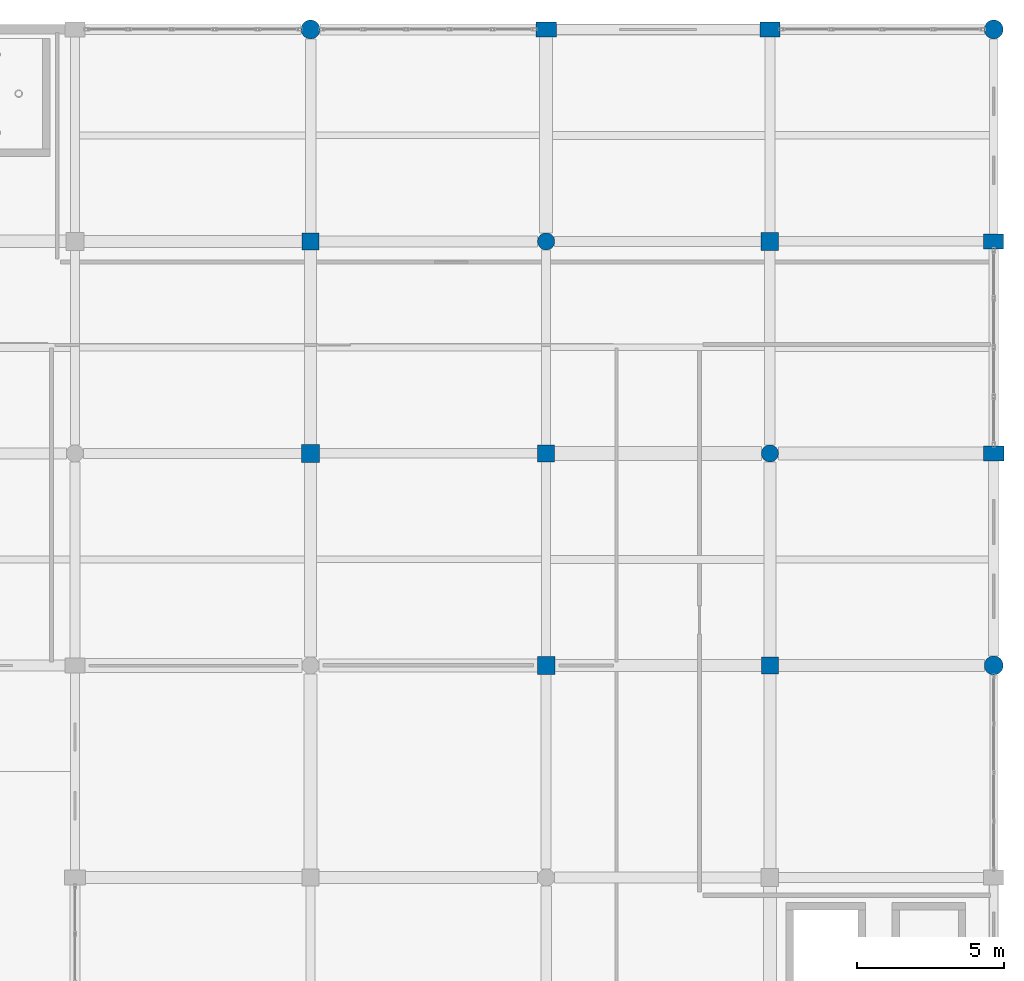
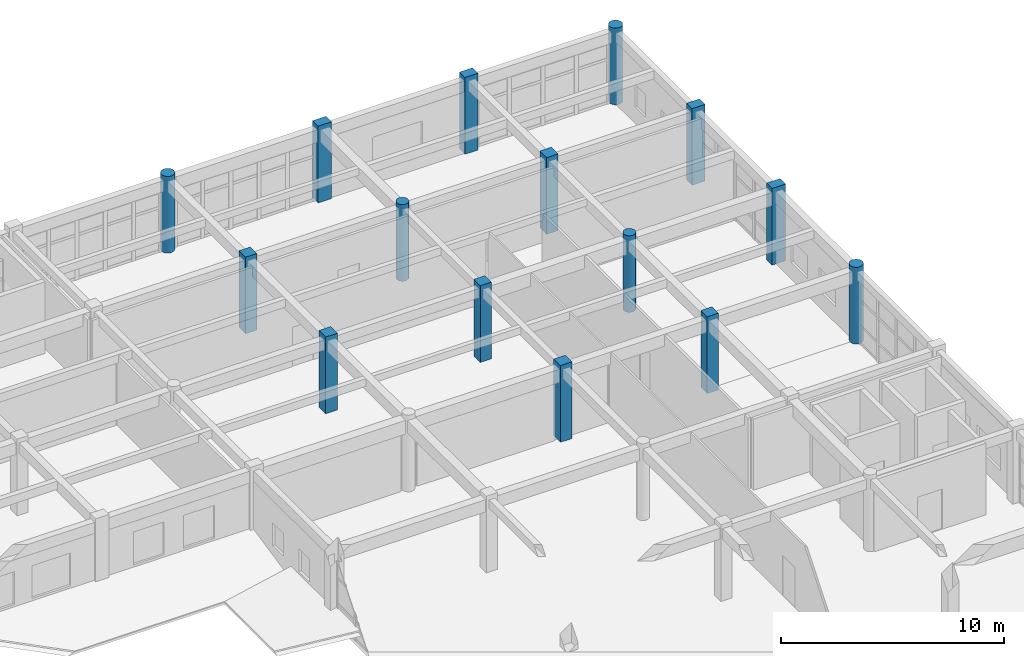
# One storey, part 9 of 121: 15 columns.
"""IFC4 building model written with IfcOpenShell, lengths in metres."""

from ifc_helpers import new_model, si_unit, direction, frame, origin, origin_2d, place, context, subcontext, project, spatial, rectangle, circle, extrude, material, material_profile, profile_set, type_object, element, save


model = new_model("IFC4")

# Units and contexts
model_context = context("Model", 3, precision=1e-05, world=origin(), true_north=direction((0.0, 1.0)))
body_context = subcontext(model_context, "Body", "Model", "MODEL_VIEW")
ifc_project = project(units=[si_unit("LENGTHUNIT", "METRE"), si_unit("AREAUNIT", "SQUARE_METRE"), si_unit("VOLUMEUNIT", "CUBIC_METRE"), si_unit("PLANEANGLEUNIT", "RADIAN"), si_unit("MASSUNIT", "GRAM", prefix="KILO")], contexts=[model_context])

# Site, building, storey
site_placement = place(None, origin())
site = spatial("IfcSite", under=ifc_project, at=site_placement, CompositionType="ELEMENT")
building_placement = place(site_placement, origin())
building = spatial("IfcBuilding", under=site, at=building_placement, Name="Kharva Crest Polytechnic", CompositionType="ELEMENT")
storey_placement = place(building_placement, frame((0.0, 0.0, 13.199951171875)))
storey = spatial("IfcBuildingStorey", under=building, at=storey_placement, Name="L03", CompositionType="ELEMENT", Elevation=13.199951171875)

# Columns
ifc_material = material(Name="Concrete C40/50", Category="concrete")
ifc_material_profile_1 = material_profile(ifc_material, rectangle(XDim=0.679931640625, YDim=0.5, at=origin_2d()), Name="RECT 680 X 500")
ifc_profile_set_1 = profile_set([ifc_material_profile_1], Name="Concrete C40/50")
column_type_1 = type_object("IfcColumnType", Name="COL-EXT-680X500", PredefinedType="COLUMN", material=ifc_profile_set_1)
for number, where, z_axis, x_axis, name in (
    (1, (176.39990234375, 122.0, 0.0), (0.0, 0.0, 1.0), (1.0, 0.0, 0.0), "L03 Column 23/S"),
    (2, (184.0, 114.800048828125, 0.0), (0.0, 0.0, 1.0), (1.0, 0.0, 0.0), "L03 Column 24/R"),
):
    element("IfcColumn", number, at=place(storey_placement, frame(where, z_axis=z_axis, x_axis=x_axis)), inside=storey, type_object=column_type_1, Name=name, PredefinedType="COLUMN", context=body_context, shape_type="SweptSolid", body=[
        extrude(rectangle(XDim=0.679931640625, YDim=0.5, at=origin_2d()), origin(), (0.0, 0.0, 1.0), 4.199951171875),
    ])
ifc_material_profile_2 = material_profile(ifc_material, rectangle(XDim=0.699951171875, YDim=0.5, at=origin_2d()), Name="RECT 700 X 500")
ifc_profile_set_2 = profile_set([ifc_material_profile_2], Name="Concrete C40/50")
column_type_2 = type_object("IfcColumnType", Name="COL-EXT-700X500", PredefinedType="COLUMN", material=ifc_profile_set_2)
for number, where, z_axis, x_axis, name in (
    (3, (168.800048828125, 122.0, 0.0), (0.0, 0.0, 1.0), (1.0, 0.0, 0.0), "L03 Column 22/S"),
    (4, (184.0, 107.60009765625, 0.0), (0.0, 0.0, 1.0), (1.0, 0.0, 0.0), "L03 Column 24/Q"),
):
    element("IfcColumn", number, at=place(storey_placement, frame(where, z_axis=z_axis, x_axis=x_axis)), inside=storey, type_object=column_type_2, Name=name, PredefinedType="COLUMN", context=body_context, shape_type="SweptSolid", body=[
        extrude(rectangle(XDim=0.699951171875, YDim=0.5, at=origin_2d()), origin(), (0.0, 0.0, 1.0), 4.199951171875),
    ])
ifc_material_profile_3 = material_profile(ifc_material, circle(Radius=0.320068359375, at=origin_2d()), Name="DIA 640")
ifc_profile_set_3 = profile_set([ifc_material_profile_3], Name="Concrete C40/50")
column_type_3 = type_object("IfcColumnType", Name="COL-EXT-DIA640", PredefinedType="COLUMN", material=ifc_profile_set_3)
for number, where, z_axis, x_axis, name in (
    (5, (160.800048828125, 122.0, 0.0), (0.0, 0.0, 1.0), (1.0, 0.0, 0.0), "L03 Column 21/S"),
    (6, (184.0, 100.39990234375, 0.0), (0.0, 0.0, 1.0), (1.0, 0.0, 0.0), "L03 Column 24/P"),
    (7, (184.0, 122.0, 0.0), (0.0, 0.0, 1.0), (1.0, 0.0, 0.0), "L03 Column 24/S"),
):
    element("IfcColumn", number, at=place(storey_placement, frame(where, z_axis=z_axis, x_axis=x_axis)), inside=storey, type_object=column_type_3, Name=name, PredefinedType="COLUMN", context=body_context, shape_type="SweptSolid", body=[
        extrude(circle(Radius=0.320068359375, at=origin_2d()), origin(), (0.0, 0.0, 1.0), 4.199951171875),
    ])
ifc_material_profile_4 = material_profile(ifc_material, rectangle(XDim=0.580078125, YDim=0.580078125, at=origin_2d()), Name="RECT 580 X 580")
ifc_profile_set_4 = profile_set([ifc_material_profile_4], Name="Concrete C40/50")
column_type_4 = type_object("IfcColumnType", Name="COL-INT-580X580", PredefinedType="COLUMN", material=ifc_profile_set_4)
for number, where, z_axis, x_axis, name in (
    (8, (160.800048828125, 114.800048828125, 0.0), (0.0, 0.0, 1.0), (1.0, 0.0, 0.0), "L03 Column 21/R"),
    (9, (168.800048828125, 107.60009765625, 0.0), (0.0, 0.0, 1.0), (1.0, 0.0, 0.0), "L03 Column 22/Q"),
    (10, (176.39990234375, 100.39990234375, 0.0), (0.0, 0.0, 1.0), (1.0, 0.0, 0.0), "L03 Column 23/P"),
):
    element("IfcColumn", number, at=place(storey_placement, frame(where, z_axis=z_axis, x_axis=x_axis)), inside=storey, type_object=column_type_4, Name=name, PredefinedType="COLUMN", context=body_context, shape_type="SweptSolid", body=[
        extrude(rectangle(XDim=0.580078125, YDim=0.580078125, at=origin_2d()), origin(), (0.0, 0.0, 1.0), 4.199951171875),
    ])
ifc_material_profile_5 = material_profile(ifc_material, rectangle(XDim=0.60009765625, YDim=0.60009765625, at=origin_2d()), Name="RECT 600 X 600")
ifc_profile_set_5 = profile_set([ifc_material_profile_5], Name="Concrete C40/50")
column_type_5 = type_object("IfcColumnType", Name="COL-INT-600X600", PredefinedType="COLUMN", material=ifc_profile_set_5)
for number, where, z_axis, x_axis, name in (
    (11, (160.800048828125, 107.60009765625, 0.0), (0.0, 0.0, 1.0), (1.0, 0.0, 0.0), "L03 Column 21/Q"),
    (12, (168.800048828125, 100.39990234375, 0.0), (0.0, 0.0, 1.0), (1.0, 0.0, 0.0), "L03 Column 22/P"),
    (13, (176.39990234375, 114.800048828125, 0.0), (0.0, 0.0, 1.0), (1.0, 0.0, 0.0), "L03 Column 23/R"),
):
    element("IfcColumn", number, at=place(storey_placement, frame(where, z_axis=z_axis, x_axis=x_axis)), inside=storey, type_object=column_type_5, Name=name, PredefinedType="COLUMN", context=body_context, shape_type="SweptSolid", body=[
        extrude(rectangle(XDim=0.60009765625, YDim=0.60009765625, at=origin_2d()), origin(), (0.0, 0.0, 1.0), 4.199951171875),
    ])
ifc_material_profile_6 = material_profile(ifc_material, circle(Radius=0.2900390625, at=origin_2d()), Name="DIA 580")
ifc_profile_set_6 = profile_set([ifc_material_profile_6], Name="Concrete C40/50")
column_type_6 = type_object("IfcColumnType", Name="COL-INT-DIA580", PredefinedType="COLUMN", material=ifc_profile_set_6)
for number, where, z_axis, x_axis, name in (
    (14, (168.800048828125, 114.800048828125, 0.0), (0.0, 0.0, 1.0), (1.0, 0.0, 0.0), "L03 Column 22/R"),
    (15, (176.39990234375, 107.60009765625, 0.0), (0.0, 0.0, 1.0), (1.0, 0.0, 0.0), "L03 Column 23/Q"),
):
    element("IfcColumn", number, at=place(storey_placement, frame(where, z_axis=z_axis, x_axis=x_axis)), inside=storey, type_object=column_type_6, Name=name, PredefinedType="COLUMN", context=body_context, shape_type="SweptSolid", body=[
        extrude(circle(Radius=0.2900390625, at=origin_2d()), origin(), (0.0, 0.0, 1.0), 4.199951171875),
    ])

save(model, "model.ifc")
